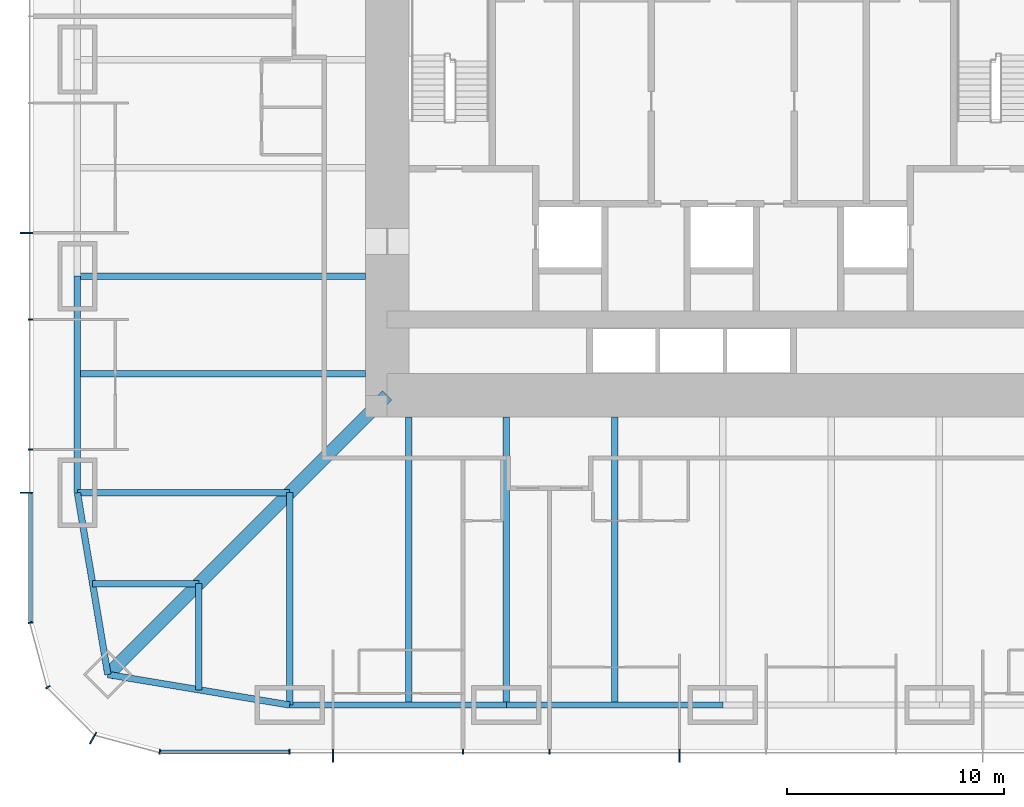
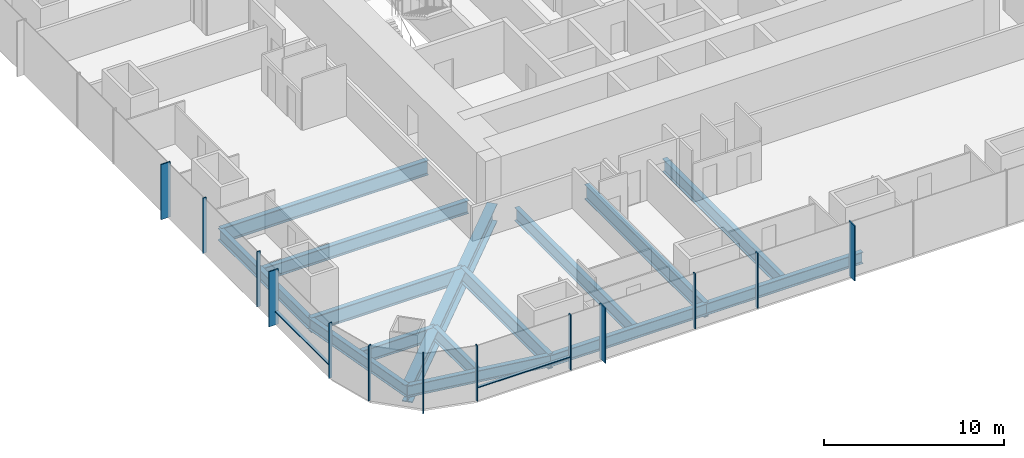
# One storey, part 2 of 20: 15 beams, 15 members, 3 elements without a shape of their own.
"""IFC4 building model written with IfcOpenShell, lengths in metres."""

import ifcopenshell
import ifcopenshell.guid

model = None  # the IFC model being written
_history = None  # IfcOwnerHistory: only IFC2X3 demands one
_inside = {}  # id of a spatial element -> (the spatial element, [elements in it])
_under = {}  # id of a project, library or spatial element -> (it, [spatial elements below it])
_declared = {}  # id of a project -> (the project, [libraries it declares])
_typed = {}  # id of a type object -> (the type object, [elements of that type])
_made_of = {}  # id of a material, layer set ... -> (it, [elements and type objects made of it])


def new_model(schema):
    """Start an empty IFC model of exactly this schema.

    Asked for "IFC4X3", IfcOpenShell would pick the latest addendum, in which some entities
    have other attributes; the version numbers below select the first issue.
    IFC2X3 requires an IfcOwnerHistory on every rooted entity: one is made here for all.
    """
    global model, _history
    if schema == "IFC4X3":
        model = ifcopenshell.file(schema_version=(4, 3, 0, 0))
    else:
        model = ifcopenshell.file(schema=schema)
    _inside.clear()
    _under.clear()
    _declared.clear()
    _typed.clear()
    _made_of.clear()
    _history = None
    if model.schema == "IFC2X3":
        org = make("IfcOrganization", Name="unknown")
        user = make(
            "IfcPersonAndOrganization",
            ThePerson=make("IfcPerson", FamilyName="unknown"),
            TheOrganization=org,
        )
        app = make(
            "IfcApplication",
            ApplicationDeveloper=org,
            Version="unknown",
            ApplicationFullName="unknown",
            ApplicationIdentifier="unknown",
        )
        _history = make(
            "IfcOwnerHistory",
            OwningUser=user,
            OwningApplication=app,
            ChangeAction="ADDED",
            CreationDate=0,
        )
    return model


def make(cls, **values):
    """One entity of the class cls with the attributes given. An attribute that is None is left unset."""
    return model.create_entity(
        cls, **{name: value for name, value in values.items() if value is not None}
    )


def rooted(cls, **values):
    """An entity with a GlobalId (a new one), such as an element, a storey or a relation."""
    return make(cls, GlobalId=ifcopenshell.guid.new(), OwnerHistory=_history, **values)


def si_unit(unit_type, name, prefix=None):
    """IfcSIUnit, for example si_unit("LENGTHUNIT", "METRE", prefix="MILLI")."""
    return make("IfcSIUnit", UnitType=unit_type, Prefix=prefix, Name=name)


def assignment(units):
    """IfcUnitAssignment: the units of a project."""
    return None if units is None else make("IfcUnitAssignment", Units=units)


def point(xyz):
    """IfcCartesianPoint."""
    return None if xyz is None else make("IfcCartesianPoint", Coordinates=xyz)


def direction(xyz):
    """IfcDirection."""
    return None if xyz is None else make("IfcDirection", DirectionRatios=xyz)


def frame(location, z_axis=None, x_axis=None):
    """IfcAxis2Placement3D, a coordinate frame: its origin and axes. An axis left out is left unset."""
    return make(
        "IfcAxis2Placement3D",
        Location=point(location),
        Axis=direction(z_axis),
        RefDirection=direction(x_axis),
    )


def frame_2d(location, x_axis=None):
    """IfcAxis2Placement2D, a coordinate frame in the plane: its origin and x axis."""
    return make(
        "IfcAxis2Placement2D", Location=point(location), RefDirection=direction(x_axis)
    )


def origin():
    """The frame at (0, 0, 0) with its axes left unset."""
    return frame((0.0, 0.0, 0.0))


def origin_2d():
    """The frame at (0, 0) in the plane with its x axis left unset."""
    return frame_2d((0.0, 0.0))


def place(relative_to, where):
    """IfcLocalPlacement: puts the frame where relative to a parent placement (None: the world)."""
    return make(
        "IfcLocalPlacement", PlacementRelTo=relative_to, RelativePlacement=where
    )


def context(
    kind, dimensions, precision=None, world=None, true_north=None, identifier=None
):
    """IfcGeometricRepresentationContext, for example the 3D "Model" context."""
    return make(
        "IfcGeometricRepresentationContext",
        ContextIdentifier=identifier,
        ContextType=kind,
        CoordinateSpaceDimension=dimensions,
        Precision=precision,
        WorldCoordinateSystem=world,
        TrueNorth=true_north,
    )


def subcontext(parent, identifier, kind, view, scale=None):
    """IfcGeometricRepresentationSubContext, for example "Body" below "Model"."""
    return make(
        "IfcGeometricRepresentationSubContext",
        ContextIdentifier=identifier,
        ContextType=kind,
        ParentContext=parent,
        TargetScale=scale,
        TargetView=view,
    )


def project(units=None, contexts=None):
    """IfcProject with its units and contexts."""
    return rooted(
        "IfcProject",
        Name="project",
        RepresentationContexts=contexts,
        UnitsInContext=assignment(units),
    )


def spatial(cls, under=None, at=None, **own):
    """A site, building, storey or space (cls), placed at a placement, below another one or the project."""
    s = rooted(cls, ObjectPlacement=at, **own)
    if under is not None:
        _under.setdefault(under.id(), (under, []))[1].append(s)
    return s


def profile(cls, at=None, kind="AREA", **sizes):
    """A parametric profile (cls). Its sizes go by their IFC names, for example OverallWidth=200.0."""
    return make(cls, ProfileType=kind, Position=at, **sizes)


def rectangle(**sizes):
    """IfcRectangleProfileDef."""
    return profile("IfcRectangleProfileDef", **sizes)


def i_section(**sizes):
    """IfcIShapeProfileDef."""
    return profile("IfcIShapeProfileDef", **sizes)


def extrude(swept, where, along, depth):
    """IfcExtrudedAreaSolid: the profile swept, set in the frame where, extruded along a direction by depth."""
    return make(
        "IfcExtrudedAreaSolid",
        SweptArea=swept,
        Position=where,
        ExtrudedDirection=direction(along),
        Depth=depth,
    )


def shape(context_of_items, identifier, shape_type, items):
    """IfcShapeRepresentation: the items that make up one representation, for example the "Body"."""
    return make(
        "IfcShapeRepresentation",
        ContextOfItems=context_of_items,
        RepresentationIdentifier=identifier,
        RepresentationType=shape_type,
        Items=items,
    )


def material(Name=None, Category=None):
    """IfcMaterial."""
    return make("IfcMaterial", Name=Name, Category=Category)


def material_profile(
    of_material, cross_section, Name=None, Category=None, Priority=None
):
    """IfcMaterialProfile: a cross section and its material."""
    return make(
        "IfcMaterialProfile",
        Name=Name,
        Material=of_material,
        Profile=cross_section,
        Priority=Priority,
        Category=Category,
    )


def profile_set(profiles, Name=None, composite=None):
    """IfcMaterialProfileSet."""
    return make(
        "IfcMaterialProfileSet",
        Name=Name,
        MaterialProfiles=profiles,
        CompositeProfile=composite,
    )


def made_of(thing, what):
    """Note that an element or type object is made of a material, layer set ...; save() writes the relation."""
    if what is not None:
        _made_of.setdefault(what.id(), (what, []))[1].append(thing)
    return thing


def type_object(cls, material=None, **own):
    """A type object (cls), such as IfcWallType, which elements share."""
    return made_of(rooted(cls, **own), material)


def element(
    cls,
    number,
    at=None,
    inside=None,
    cuts=None,
    type_object=None,
    material=None,
    context=None,
    identifier="Body",
    shape_type=None,
    held_by="IfcProductDefinitionShape",
    body=None,
    shapes=None,
    **own,
):
    """One element of the class cls, such as IfcWall. Its Tag is "e" and its number.

    at: its placement. inside: the storey or other place that contains it. cuts: it is an
    opening in that element (IfcRelVoidsElement). A single representation is given by context,
    identifier, shape_type and body (its items); several are given by shapes. held_by: the class
    of the entity that holds the representations. save() writes the other relations.
    """
    e = rooted(cls, Tag="e%d" % number, ObjectPlacement=at, **own)
    if body is not None:
        shapes = [shape(context, identifier, shape_type, body)]
    if shapes is not None:
        e.Representation = make(held_by, Representations=shapes)
    if inside is not None:
        _inside.setdefault(inside.id(), (inside, []))[1].append(e)
    if cuts is not None:
        rooted(
            "IfcRelVoidsElement", RelatingBuildingElement=cuts, RelatedOpeningElement=e
        )
    if type_object is not None:
        _typed.setdefault(type_object.id(), (type_object, []))[1].append(e)
    return made_of(e, material)


def aggregate(whole, parts):
    """IfcRelAggregates: a whole, such as a stair, and the parts it consists of."""
    return rooted("IfcRelAggregates", RelatingObject=whole, RelatedObjects=parts)


def save(model, path):
    """Write the relations noted so far, then the file.

    IfcRelAggregates (storeys below a building ...), IfcRelContainedInSpatialStructure (elements
    in a storey), IfcRelDefinesByType, IfcRelAssociatesMaterial and IfcRelDeclares: one each for
    every whole, place, type object, material and project.
    """
    for whole, parts in _under.values():
        aggregate(whole, parts)
    for where, things in _inside.values():
        rooted(
            "IfcRelContainedInSpatialStructure",
            RelatedElements=things,
            RelatingStructure=where,
        )
    for kind, things in _typed.values():
        rooted("IfcRelDefinesByType", RelatedObjects=things, RelatingType=kind)
    for what, things in _made_of.values():
        rooted("IfcRelAssociatesMaterial", RelatedObjects=things, RelatingMaterial=what)
    for by, libraries in _declared.values():
        rooted("IfcRelDeclares", RelatingContext=by, RelatedDefinitions=libraries)
    model.write(path)


model = new_model("IFC4")

# Units and contexts
model_context = context("Model", 3, precision=1e-05, world=origin(), true_north=direction((0.0, 1.0)))
body_context = subcontext(model_context, "Body", "Model", "MODEL_VIEW")
ifc_project = project(units=[si_unit("LENGTHUNIT", "METRE"), si_unit("AREAUNIT", "SQUARE_METRE"), si_unit("VOLUMEUNIT", "CUBIC_METRE"), si_unit("PLANEANGLEUNIT", "RADIAN"), si_unit("MASSUNIT", "GRAM", prefix="KILO")], contexts=[model_context])

# Site, building, storey
site_placement = place(None, origin())
site = spatial("IfcSite", under=ifc_project, at=site_placement, CompositionType="ELEMENT")
building_placement = place(site_placement, origin())
building = spatial("IfcBuilding", under=site, at=building_placement, Name="Khuree Lantern Residences", CompositionType="ELEMENT")
storey_placement = place(building_placement, frame((0.0, 0.0, 32.25)))
storey = spatial("IfcBuildingStorey", under=building, at=storey_placement, Name="L07", CompositionType="ELEMENT", Elevation=32.25)

# Beams
ifc_material_1 = material(Name="Steel S355", Category="steel")
ifc_material_profile_1 = material_profile(ifc_material_1, i_section(OverallWidth=0.300048828125, OverallDepth=0.889892578125, WebThickness=0.01611328125, FlangeThickness=0.030029296875, FilletRadius=0.030029296875, at=origin_2d()), Name="HE 900 A")
ifc_profile_set_1 = profile_set([ifc_material_profile_1], Name="Steel S355")
beam_type_1 = type_object("IfcBeamType", Name="B-11 SECONDARY BEAM HE 900 A", PredefinedType="BEAM", material=ifc_profile_set_1)
for number, where, z_axis, x_axis, name in (
    (1, (-5.0, -29.800048828125, -0.695068359375), (0.0, 1.0, 0.0), (-1.0, 0.0, 0.0), "Secondary beam S4"),
    (2, (-14.5, -29.800048828125, -0.695068359375), (0.0, 1.0, 0.0), (-1.0, 0.0, 0.0), "Secondary beam S5"),
):
    element("IfcBeam", number, at=place(storey_placement, frame(where, z_axis=z_axis, x_axis=x_axis)), inside=storey, type_object=beam_type_1, Name=name, PredefinedType="BEAM", context=body_context, shape_type="SweptSolid", body=[
        extrude(i_section(OverallWidth=0.300048828125, OverallDepth=0.889892578125, WebThickness=0.01611328125, FlangeThickness=0.030029296875, FilletRadius=0.030029296875, at=origin_2d()), origin(), (0.0, 0.0, 1.0), 13.300048828125),
    ])
for number, where, z_axis, x_axis, name in (
    (3, (-24.197021484375, -29.09716796875, -0.695068359375), (0.0, 1.0, 0.0), (-1.0, 0.0, 0.0), "Secondary beam S6"),
    (4, (-29.09716796875, -24.197021484375, -0.695068359375), (1.0, 0.0, 0.0), (0.0, 1.0, 0.0), "Secondary beam W1"),
):
    element("IfcBeam", number, at=place(storey_placement, frame(where, z_axis=z_axis, x_axis=x_axis)), inside=storey, type_object=beam_type_1, Name=name, PredefinedType="BEAM", context=body_context, shape_type="SweptSolid", body=[
        extrude(i_section(OverallWidth=0.300048828125, OverallDepth=0.889892578125, WebThickness=0.01611328125, FlangeThickness=0.030029296875, FilletRadius=0.030029296875, at=origin_2d()), origin(), (0.0, 0.0, 1.0), 4.900146484375),
    ])
beam_1_placement = place(storey_placement, frame((-29.800048828125, -14.5, -0.695068359375), z_axis=(1.0, 0.0, 0.0), x_axis=(0.0, 1.0, 0.0)))
element("IfcBeam", 5, at=beam_1_placement, inside=storey, type_object=beam_type_1, Name="Secondary beam W2", PredefinedType="BEAM", context=body_context, shape_type="SweptSolid", body=[
    extrude(i_section(OverallWidth=0.300048828125, OverallDepth=0.889892578125, WebThickness=0.01611328125, FlangeThickness=0.030029296875, FilletRadius=0.030029296875, at=origin_2d()), origin(), (0.0, 0.0, 1.0), 13.300048828125),
])
ifc_material_profile_2 = material_profile(ifc_material_1, i_section(OverallWidth=0.300048828125, OverallDepth=0.7900390625, WebThickness=0.014892578125, FlangeThickness=0.028076171875, FilletRadius=0.030029296875, at=origin_2d()), Name="HE 800 A")
ifc_profile_set_2 = profile_set([ifc_material_profile_2], Name="Steel S355")
beam_type_2 = type_object("IfcBeamType", Name="E-11 SPANDREL BEAM HE 800 A", PredefinedType="SPANDREL", material=ifc_profile_set_2)
for number, where, z_axis, x_axis, name in (
    (6, (0.0, -29.800048828125, -0.64501953125), (-1.0, 0.0, 0.0), (0.0, -1.0, 0.0), "Spandrel beam S4"),
    (7, (-10.0, -29.800048828125, -0.64501953125), (-1.0, 0.0, 0.0), (0.0, -1.0, 0.0), "Spandrel beam S5"),
):
    element("IfcBeam", number, at=place(storey_placement, frame(where, z_axis=z_axis, x_axis=x_axis)), inside=storey, type_object=beam_type_2, Name=name, PredefinedType="SPANDREL", context=body_context, shape_type="SweptSolid", body=[
        extrude(i_section(OverallWidth=0.300048828125, OverallDepth=0.7900390625, WebThickness=0.014892578125, FlangeThickness=0.028076171875, FilletRadius=0.030029296875, at=origin_2d()), origin(), (0.0, 0.0, 1.0), 10.0),
    ])
for number, where, z_axis, x_axis, name in (
    (8, (-20.0, -29.800048828125, -0.64501953125), (-0.986260251158, 0.165199022349, 0.0), (-0.165199022349, -0.986260251158, 0.0), "Spandrel beam S6"),
    (9, (-28.39404296875, -28.39404296875, -0.64501953125), (-0.165199022349, 0.986260251158, 0.0), (-0.986260251158, -0.165199022349, 0.0), "Spandrel beam W1"),
):
    element("IfcBeam", number, at=place(storey_placement, frame(where, z_axis=z_axis, x_axis=x_axis)), inside=storey, type_object=beam_type_2, Name=name, PredefinedType="SPANDREL", context=body_context, shape_type="SweptSolid", body=[
        extrude(i_section(OverallWidth=0.300048828125, OverallDepth=0.7900390625, WebThickness=0.014892578125, FlangeThickness=0.028076171875, FilletRadius=0.030029296875, at=origin_2d()), origin(), (0.0, 0.0, 1.0), 8.510986328125),
    ])
beam_2_placement = place(storey_placement, frame((-29.800048828125, -20.0, -0.64501953125), z_axis=(0.0, 1.0, 0.0), x_axis=(-1.0, 0.0, 0.0)))
element("IfcBeam", 10, at=beam_2_placement, inside=storey, type_object=beam_type_2, Name="Spandrel beam W2", PredefinedType="SPANDREL", context=body_context, shape_type="SweptSolid", body=[
    extrude(i_section(OverallWidth=0.300048828125, OverallDepth=0.7900390625, WebThickness=0.014892578125, FlangeThickness=0.028076171875, FilletRadius=0.030029296875, at=origin_2d()), origin(), (0.0, 0.0, 1.0), 10.0),
])

# Curtain wall, members
ifc_material_2 = material(Name="Bronze anodised aluminium", Category="aluminium")
curtain_wall_type_1 = type_object("IfcCurtainWallType", Name="CW-T1 TOWER FACE CURTAIN WALL", PredefinedType="USERDEFINED", material=ifc_material_2)
curtain_wall_1_placement = place(storey_placement, origin())
curtain_wall_1 = element("IfcCurtainWall", 11, at=curtain_wall_1_placement, inside=storey, type_object=curtain_wall_type_1, Name="L07 WEST FACE CURTAIN WALL", ObjectType="Stick-built curtain wall", PredefinedType="USERDEFINED")
ifc_material_profile_3 = material_profile(ifc_material_2, rectangle(XDim=0.06494140625, YDim=0.60009765625, at=origin_2d()), Name="F1 65X600")
ifc_profile_set_3 = profile_set([ifc_material_profile_3], Name="Bronze anodised aluminium")
member_type_1 = type_object("IfcMemberType", Name="F1 BRONZE FIN MULLION TOWER 65X600", PredefinedType="MULLION", material=ifc_profile_set_3)
member_1_placement = place(storey_placement, frame((-32.14990234375, -8.0, 0.0), z_axis=(0.0, 0.0, 1.0), x_axis=(0.0, -1.0, 0.0)))
member_1 = element("IfcMember", 12, at=member_1_placement, type_object=member_type_1, Name="L07 WEST FACE FIN MULLION 39", PredefinedType="MULLION", context=body_context, shape_type="SweptSolid", body=[
    extrude(rectangle(XDim=0.06494140625, YDim=0.60009765625, at=origin_2d()), origin(), (0.0, 0.0, 1.0), 3.75),
])
member_2_placement = place(storey_placement, frame((-32.14990234375, -20.0, 0.0), z_axis=(0.0, 0.0, 1.0), x_axis=(0.0, -1.0, 0.0)))
member_2 = element("IfcMember", 13, at=member_2_placement, type_object=member_type_1, Name="L07 WEST FACE FIN MULLION 42", PredefinedType="MULLION", context=body_context, shape_type="SweptSolid", body=[
    extrude(rectangle(XDim=0.06494140625, YDim=0.60009765625, at=origin_2d()), origin(), (0.0, 0.0, 1.0), 3.75),
])

# Curtain wall, member
curtain_wall_type_2 = type_object("IfcCurtainWallType", Name="CW-T2 TOWER CORNER CURTAIN WALL", PredefinedType="USERDEFINED", material=ifc_material_2)
curtain_wall_2_placement = place(storey_placement, origin())
curtain_wall_2 = element("IfcCurtainWall", 14, at=curtain_wall_2_placement, inside=storey, type_object=curtain_wall_type_2, Name="L07 SOUTH-WEST CORNER CURTAIN WALL", ObjectType="Faceted corner curtain wall", PredefinedType="USERDEFINED")
member_3_placement = place(storey_placement, frame((-29.074951171875, -31.326171875, 0.0), z_axis=(0.0, 0.0, 1.0), x_axis=(0.86602537092, -0.500000056923, 0.0)))
member_3 = element("IfcMember", 15, at=member_3_placement, type_object=member_type_1, Name="L07 SOUTH-WEST CORNER FIN MULLION 45", PredefinedType="MULLION", context=body_context, shape_type="SweptSolid", body=[
    extrude(rectangle(XDim=0.06494140625, YDim=0.60009765625, at=origin_2d()), origin(), (0.0, 0.0, 1.0), 3.75),
])

# Curtain wall, members
curtain_wall_3_placement = place(storey_placement, origin())
curtain_wall_3 = element("IfcCurtainWall", 16, at=curtain_wall_3_placement, inside=storey, type_object=curtain_wall_type_1, Name="L07 SOUTH FACE CURTAIN WALL", ObjectType="Stick-built curtain wall", PredefinedType="USERDEFINED")
member_4_placement = place(storey_placement, frame((-18.0, -32.14990234375, 0.0), z_axis=(0.0, 0.0, 1.0), x_axis=(1.0, 0.0, 0.0)))
member_4 = element("IfcMember", 17, at=member_4_placement, type_object=member_type_1, Name="L07 SOUTH FACE FIN MULLION 48", PredefinedType="MULLION", context=body_context, shape_type="SweptSolid", body=[
    extrude(rectangle(XDim=0.06494140625, YDim=0.60009765625, at=origin_2d()), origin(), (0.0, 0.0, 1.0), 3.75),
])
member_5_placement = place(storey_placement, frame((-2.0, -32.14990234375, 0.0), z_axis=(0.0, 0.0, 1.0), x_axis=(1.0, 0.0, 0.0)))
member_5 = element("IfcMember", 18, at=member_5_placement, type_object=member_type_1, Name="L07 SOUTH FACE FIN MULLION 51", PredefinedType="MULLION", context=body_context, shape_type="SweptSolid", body=[
    extrude(rectangle(XDim=0.06494140625, YDim=0.60009765625, at=origin_2d()), origin(), (0.0, 0.0, 1.0), 3.75),
])

# Beams
ifc_material_profile_4 = material_profile(ifc_material_1, i_section(OverallWidth=0.302001953125, OverallDepth=1.008056640625, WebThickness=0.02099609375, FlangeThickness=0.0400390625, FilletRadius=0.030029296875, at=origin_2d()), Name="HE 1000 M")
ifc_profile_set_4 = profile_set([ifc_material_profile_4], Name="Steel S355")
beam_type_3 = type_object("IfcBeamType", Name="G-11 GIRDER HE 1000 M", PredefinedType="BEAM", material=ifc_profile_set_4)
beam_3_placement = place(storey_placement, frame((-10.0, -29.800048828125, -0.75390625), z_axis=(0.0, 1.0, 0.0), x_axis=(-1.0, 0.0, 0.0)))
element("IfcBeam", 19, at=beam_3_placement, inside=storey, type_object=beam_type_3, Name="Girder S4", PredefinedType="BEAM", context=body_context, shape_type="SweptSolid", body=[
    extrude(i_section(OverallWidth=0.302001953125, OverallDepth=1.008056640625, WebThickness=0.02099609375, FlangeThickness=0.0400390625, FilletRadius=0.030029296875, at=origin_2d()), origin(), (0.0, 0.0, 1.0), 13.300048828125),
])
for number, where, z_axis, x_axis, name in (
    (20, (-20.0, -29.800048828125, -0.75390625), (0.0, 1.0, 0.0), (-1.0, 0.0, 0.0), "Girder S5"),
    (21, (-29.800048828125, -20.0, -0.75390625), (1.0, 0.0, 0.0), (0.0, 1.0, 0.0), "Girder W1"),
):
    element("IfcBeam", number, at=place(storey_placement, frame(where, z_axis=z_axis, x_axis=x_axis)), inside=storey, type_object=beam_type_3, Name=name, PredefinedType="BEAM", context=body_context, shape_type="SweptSolid", body=[
        extrude(i_section(OverallWidth=0.302001953125, OverallDepth=1.008056640625, WebThickness=0.02099609375, FlangeThickness=0.0400390625, FilletRadius=0.030029296875, at=origin_2d()), origin(), (0.0, 0.0, 1.0), 9.800048828125),
    ])
beam_4_placement = place(storey_placement, frame((-29.800048828125, -10.0, -0.75390625), z_axis=(1.0, 0.0, 0.0), x_axis=(0.0, 1.0, 0.0)))
element("IfcBeam", 22, at=beam_4_placement, inside=storey, type_object=beam_type_3, Name="Girder W2", PredefinedType="BEAM", context=body_context, shape_type="SweptSolid", body=[
    extrude(i_section(OverallWidth=0.302001953125, OverallDepth=1.008056640625, WebThickness=0.02099609375, FlangeThickness=0.0400390625, FilletRadius=0.030029296875, at=origin_2d()), origin(), (0.0, 0.0, 1.0), 13.300048828125),
])
ifc_material_profile_5 = material_profile(ifc_material_1, i_section(OverallWidth=0.60009765625, OverallDepth=1.199951171875, WebThickness=0.030029296875, FlangeThickness=0.06005859375, at=origin_2d()), Name="WELDED I 1200X600X30X60")
ifc_profile_set_5 = profile_set([ifc_material_profile_5], Name="Steel S355")
beam_type_4 = type_object("IfcBeamType", Name="GD-11 CORNER GIRDER WELDED I 1200X600X30X60", PredefinedType="BEAM", material=ifc_profile_set_5)
beam_5_placement = place(storey_placement, frame((-28.39404296875, -28.39404296875, -0.85009765625), z_axis=(0.707106781187, 0.707106781187, 0.0), x_axis=(-0.707106781187, 0.707106781187, 0.0)))
element("IfcBeam", 23, at=beam_5_placement, inside=storey, type_object=beam_type_4, Name="Corner girder SW", PredefinedType="BEAM", context=body_context, shape_type="SweptSolid", body=[
    extrude(i_section(OverallWidth=0.60009765625, OverallDepth=1.199951171875, WebThickness=0.030029296875, FlangeThickness=0.06005859375, at=origin_2d()), origin(), (0.0, 0.0, 1.0), 18.23486328125),
])

# Member
ifc_material_profile_6 = material_profile(ifc_material_2, rectangle(XDim=0.06494140625, YDim=0.219970703125, at=origin_2d()), Name="M1 65X220")
ifc_profile_set_6 = profile_set([ifc_material_profile_6], Name="Bronze anodised aluminium")
member_type_2 = type_object("IfcMemberType", Name="M1 BRONZE MULLION TOWER 65X220", PredefinedType="MULLION", material=ifc_profile_set_6)
member_6_placement = place(storey_placement, frame((-31.9599609375, -12.0, 0.0), z_axis=(0.0, 0.0, 1.0), x_axis=(0.0, -1.0, 0.0)))
member_6 = element("IfcMember", 24, at=member_6_placement, type_object=member_type_2, Name="L07 WEST FACE MULLION 40", PredefinedType="MULLION", context=body_context, shape_type="SweptSolid", body=[
    extrude(rectangle(XDim=0.06494140625, YDim=0.219970703125, at=origin_2d()), origin(), (0.0, 0.0, 1.0), 3.75),
])

member_7_placement = place(storey_placement, frame((-31.9599609375, -18.0, 0.0), z_axis=(0.0, 0.0, 1.0), x_axis=(0.0, -1.0, 0.0)))
member_7 = element("IfcMember", 25, at=member_7_placement, type_object=member_type_2, Name="L07 WEST FACE MULLION 41", PredefinedType="MULLION", context=body_context, shape_type="SweptSolid", body=[
    extrude(rectangle(XDim=0.06494140625, YDim=0.219970703125, at=origin_2d()), origin(), (0.0, 0.0, 1.0), 3.75),
])

member_8_placement = place(storey_placement, frame((-31.961669921875, -25.994873046875, 0.0), z_axis=(0.0, 0.0, 1.0), x_axis=(0.130526257387, -0.991444852794, 0.0)))
member_8 = element("IfcMember", 26, at=member_8_placement, type_object=member_type_2, Name="L07 SOUTH-WEST CORNER MULLION 43", PredefinedType="MULLION", context=body_context, shape_type="SweptSolid", body=[
    extrude(rectangle(XDim=0.06494140625, YDim=0.219970703125, at=origin_2d()), origin(), (0.0, 0.0, 1.0), 3.75),
])

member_9_placement = place(storey_placement, frame((-31.16162109375, -28.97998046875, 0.0), z_axis=(0.0, 0.0, 1.0), x_axis=(0.500000056923, -0.86602537092, 0.0)))
member_9 = element("IfcMember", 27, at=member_9_placement, type_object=member_type_2, Name="L07 SOUTH-WEST CORNER MULLION 44", PredefinedType="MULLION", context=body_context, shape_type="SweptSolid", body=[
    extrude(rectangle(XDim=0.06494140625, YDim=0.219970703125, at=origin_2d()), origin(), (0.0, 0.0, 1.0), 3.75),
])

aggregate(curtain_wall_2, [member_8, member_9, member_3])

member_10_placement = place(storey_placement, frame((-25.994873046875, -31.961669921875, 0.0), z_axis=(0.0, 0.0, 1.0), x_axis=(0.991444852794, -0.130526257387, 0.0)))
member_10 = element("IfcMember", 28, at=member_10_placement, type_object=member_type_2, Name="L07 SOUTH FACE MULLION 46", PredefinedType="MULLION", context=body_context, shape_type="SweptSolid", body=[
    extrude(rectangle(XDim=0.06494140625, YDim=0.219970703125, at=origin_2d()), origin(), (0.0, 0.0, 1.0), 3.75),
])

member_11_placement = place(storey_placement, frame((-20.0, -31.9599609375, 0.0), z_axis=(0.0, 0.0, 1.0), x_axis=(1.0, 0.0, 0.0)))
member_11 = element("IfcMember", 29, at=member_11_placement, type_object=member_type_2, Name="L07 SOUTH FACE MULLION 47", PredefinedType="MULLION", context=body_context, shape_type="SweptSolid", body=[
    extrude(rectangle(XDim=0.06494140625, YDim=0.219970703125, at=origin_2d()), origin(), (0.0, 0.0, 1.0), 3.75),
])

member_12_placement = place(storey_placement, frame((-12.0, -31.9599609375, 0.0), z_axis=(0.0, 0.0, 1.0), x_axis=(1.0, 0.0, 0.0)))
member_12 = element("IfcMember", 30, at=member_12_placement, type_object=member_type_2, Name="L07 SOUTH FACE MULLION 49", PredefinedType="MULLION", context=body_context, shape_type="SweptSolid", body=[
    extrude(rectangle(XDim=0.06494140625, YDim=0.219970703125, at=origin_2d()), origin(), (0.0, 0.0, 1.0), 3.75),
])

member_13_placement = place(storey_placement, frame((-8.0, -31.9599609375, 0.0), z_axis=(0.0, 0.0, 1.0), x_axis=(1.0, 0.0, 0.0)))
member_13 = element("IfcMember", 31, at=member_13_placement, type_object=member_type_2, Name="L07 SOUTH FACE MULLION 50", PredefinedType="MULLION", context=body_context, shape_type="SweptSolid", body=[
    extrude(rectangle(XDim=0.06494140625, YDim=0.219970703125, at=origin_2d()), origin(), (0.0, 0.0, 1.0), 3.75),
])

ifc_material_profile_7 = material_profile(ifc_material_2, rectangle(XDim=0.179931640625, YDim=0.06494140625, at=origin_2d()), Name="T1 180X65")
ifc_profile_set_7 = profile_set([ifc_material_profile_7], Name="Bronze anodised aluminium")
member_type_3 = type_object("IfcMemberType", Name="TRANSOM T1 TOWER 180X65", PredefinedType="USERDEFINED", material=ifc_profile_set_7)
member_14_placement = place(storey_placement, frame((-31.969970703125, -20.032470703125, 0.89990234375), z_axis=(0.0, -1.0, 0.0), x_axis=(1.0, 0.0, 0.0)))
member_14 = element("IfcMember", 32, at=member_14_placement, type_object=member_type_3, Name="L07 WEST FACE TRANSOM 42.1", ObjectType="Transom", PredefinedType="USERDEFINED", context=body_context, shape_type="SweptSolid", body=[
    extrude(rectangle(XDim=0.179931640625, YDim=0.06494140625, at=origin_2d()), origin(), (0.0, 0.0, 1.0), 5.9189453125),
])

aggregate(curtain_wall_1, [member_1, member_6, member_7, member_2, member_14])

member_15_placement = place(storey_placement, frame((-25.951416015625, -31.969970703125, 0.89990234375), z_axis=(1.0, 0.0, 0.0), x_axis=(0.0, 1.0, 0.0)))
member_15 = element("IfcMember", 33, at=member_15_placement, type_object=member_type_3, Name="L07 SOUTH FACE TRANSOM 46.1", ObjectType="Transom", PredefinedType="USERDEFINED", context=body_context, shape_type="SweptSolid", body=[
    extrude(rectangle(XDim=0.179931640625, YDim=0.06494140625, at=origin_2d()), origin(), (0.0, 0.0, 1.0), 5.9189453125),
])

aggregate(curtain_wall_3, [member_10, member_11, member_4, member_12, member_13, member_5, member_15])

save(model, "model.ifc")
